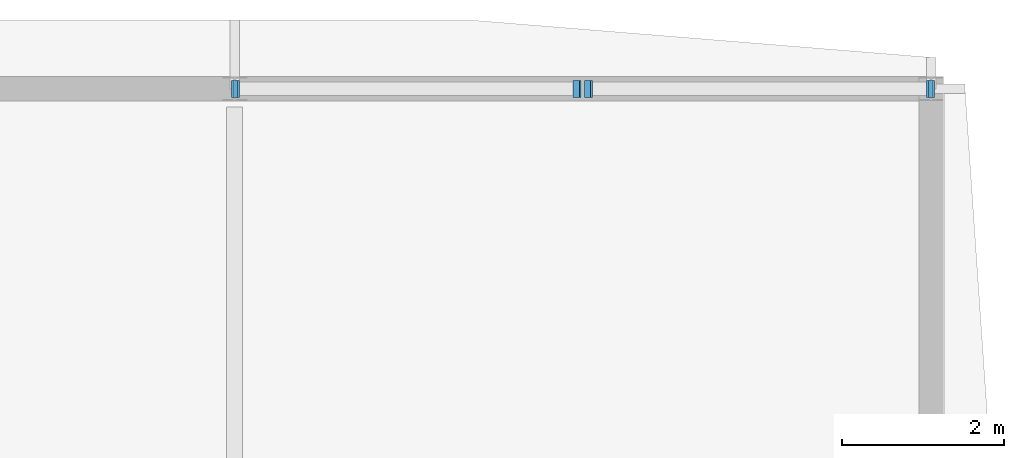
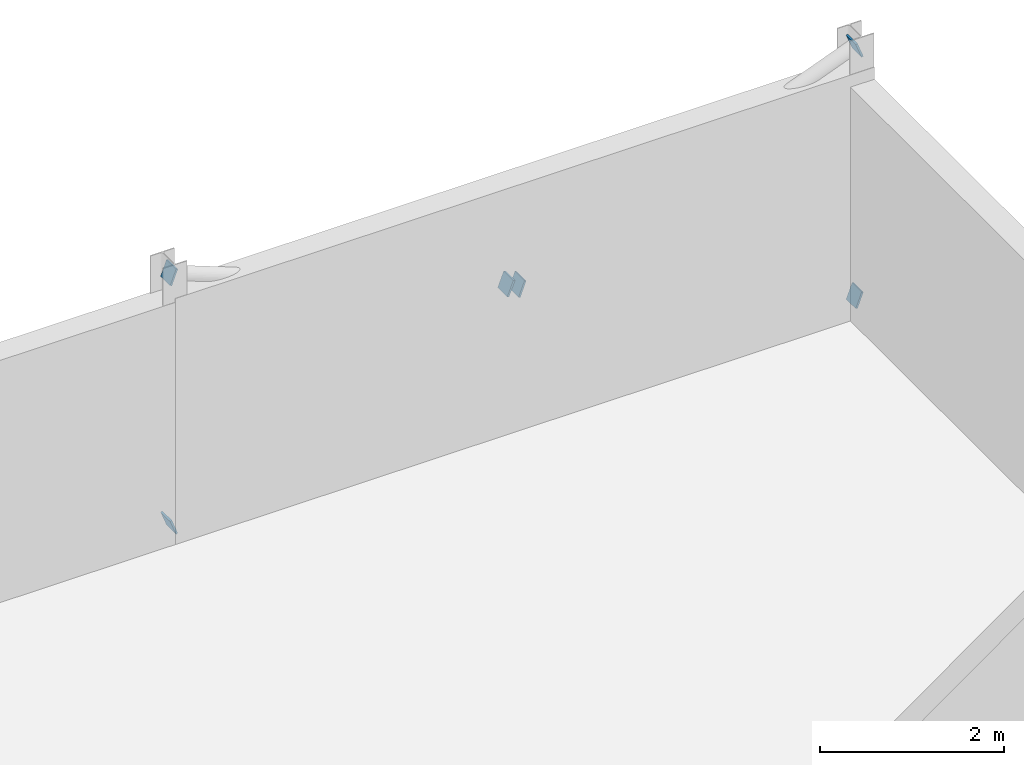
# One storey, part 18 of 30: 6 plates.
"""IFC4 building model written with IfcOpenShell, lengths in metres."""

from ifc_helpers import new_model, si_unit, direction, frame, origin, origin_2d, place, context, subcontext, project, spatial, rectangle, extrude, material, material_profile, profile_set, type_object, element, save


model = new_model("IFC4")

# Units and contexts
model_context = context("Model", 3, precision=1e-05, world=origin(), true_north=direction((0.0, 1.0)))
body_context = subcontext(model_context, "Body", "Model", "MODEL_VIEW")
ifc_project = project(units=[si_unit("LENGTHUNIT", "METRE"), si_unit("AREAUNIT", "SQUARE_METRE"), si_unit("VOLUMEUNIT", "CUBIC_METRE"), si_unit("PLANEANGLEUNIT", "RADIAN"), si_unit("MASSUNIT", "GRAM", prefix="KILO")], contexts=[model_context])

# Site, building, storey
site_placement = place(None, origin())
site = spatial("IfcSite", under=ifc_project, at=site_placement, CompositionType="ELEMENT")
building_placement = place(site_placement, origin())
building = spatial("IfcBuilding", under=site, at=building_placement, Name="Vinh Khe Railworks Police Headquarters", CompositionType="ELEMENT")
storey_placement = place(building_placement, frame((0.0, 0.0, 21.0)))
storey = spatial("IfcBuildingStorey", under=building, at=storey_placement, Name="L05", CompositionType="ELEMENT", Elevation=21.0)

# Plates
ifc_material = material(Name="Steel S355JR", Category="steel")
ifc_material_profile = material_profile(ifc_material, rectangle(XDim=0.2080078125, YDim=0.2080078125, at=origin_2d()), Name="PL 208x208")
ifc_profile_set = profile_set([ifc_material_profile], Name="Steel S355JR")
plate_type = type_object("IfcPlateType", Name="Steel End-Cap Plate 208x208x24", PredefinedType="SHEET", material=ifc_profile_set)
for number, where, z_axis, x_axis, name in (
    (1, (105.02001953125, 166.39990234375, 0.199951171875), (-0.934648577632, 0.0, -0.355572828447), (0.0, -1.0, 0.0), "End-Cap Gusset Plate PLT-EP-0695"),
    (2, (105.02001953125, 166.39990234375, 3.5), (-0.934648577632, 0.0, 0.355572828447), (0.0, -1.0, 0.0), "End-Cap Gusset Plate PLT-EP-0696"),
    (3, (109.218505859375, 166.39990234375, 1.881591796875), (0.929879446884, 0.0, -0.367864396569), (0.0, 1.0, 0.0), "End-Cap Gusset Plate PLT-EP-0705"),
    (4, (109.381591796875, 166.39990234375, 1.818603515625), (-0.934648577632, 0.0, 0.355572828447), (0.0, -1.0, 0.0), "End-Cap Gusset Plate PLT-EP-0712"),
):
    element("IfcPlate", number, at=place(storey_placement, frame(where, z_axis=z_axis, x_axis=x_axis)), inside=storey, type_object=plate_type, Name=name, PredefinedType="SHEET", context=body_context, shape_type="SweptSolid", body=[
        extrude(rectangle(XDim=0.2080078125, YDim=0.2080078125, at=origin_2d()), origin(), (0.0, 0.0, 1.0), 0.02392578125),
    ])
for number, where, z_axis, x_axis, name in (
    (5, (113.580078125, 166.39990234375, 0.199951171875), (0.933345606203, 0.0, -0.358979079309), (0.0, 1.0, 0.0), "End-Cap Gusset Plate PLT-EP-0723"),
    (6, (113.580078125, 166.39990234375, 3.5), (0.933345606203, 0.0, 0.358979079309), (0.0, 1.0, 0.0), "End-Cap Gusset Plate PLT-EP-0724"),
):
    element("IfcPlate", number, at=place(storey_placement, frame(where, z_axis=z_axis, x_axis=x_axis)), inside=storey, type_object=plate_type, Name=name, PredefinedType="SHEET", context=body_context, shape_type="SweptSolid", body=[
        extrude(rectangle(XDim=0.2080078125, YDim=0.2080078125, at=origin_2d()), origin(), (0.0, 0.0, 1.0), 0.023681640625),
    ])

save(model, "model.ifc")
